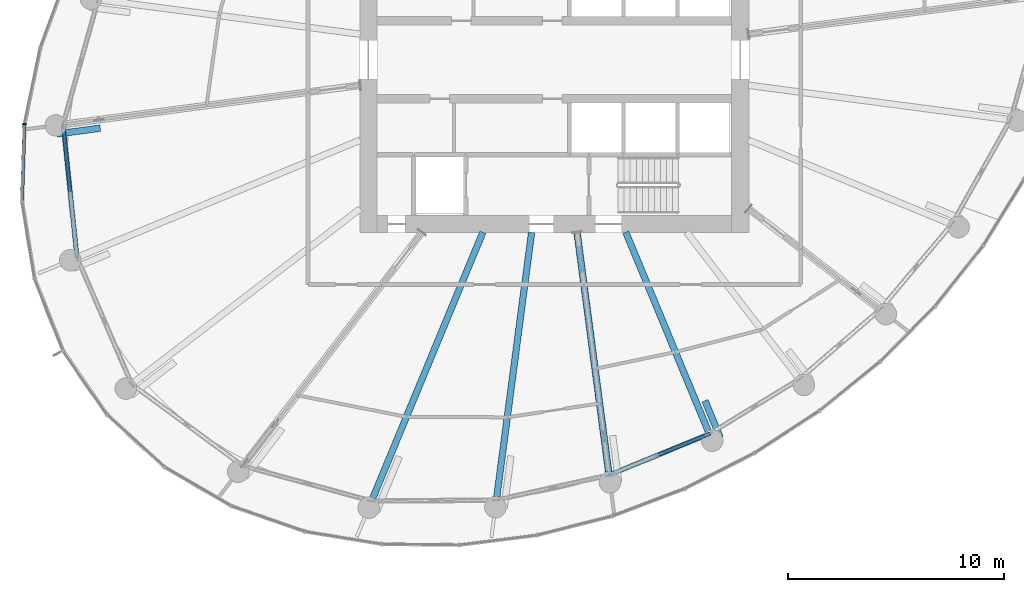
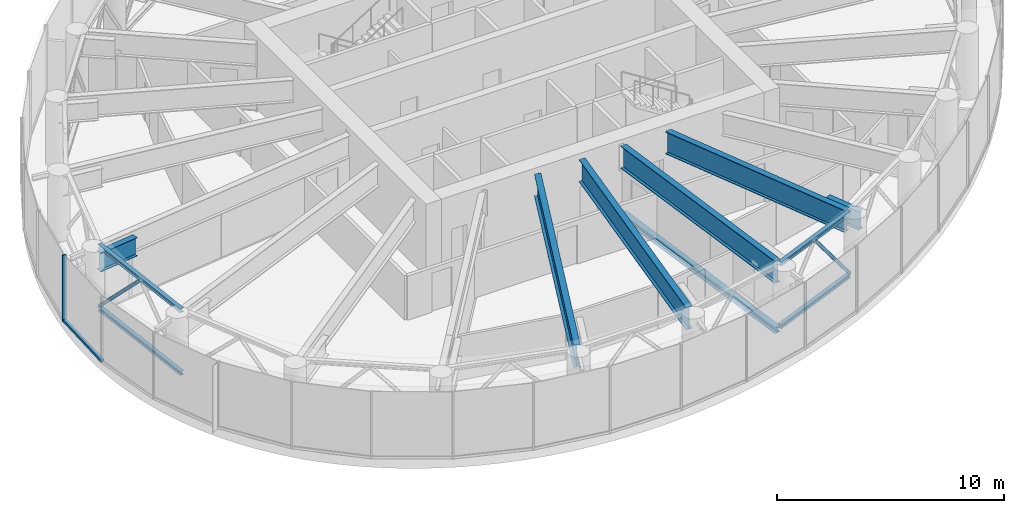
# One storey, part 4 of 25: 9 members, 6 beams, 1 element without a shape of its own.
"""IFC4 building model written with IfcOpenShell, lengths in metres."""

from ifc_helpers import new_model, si_unit, direction, frame, origin, origin_2d, place, context, subcontext, project, spatial, rectangle, hollow_circle, i_section, extrude, source, transform, mapped, material, layer, layer_set, material_profile, profile_set, type_object, element, aggregate, save


model = new_model("IFC4")

# Units and contexts
model_context = context("Model", 3, precision=1e-05, world=origin(), true_north=direction((0.0, 1.0)))
body_context = subcontext(model_context, "Body", "Model", "MODEL_VIEW")
ifc_project = project(units=[si_unit("LENGTHUNIT", "METRE"), si_unit("AREAUNIT", "SQUARE_METRE"), si_unit("VOLUMEUNIT", "CUBIC_METRE"), si_unit("PLANEANGLEUNIT", "RADIAN"), si_unit("MASSUNIT", "GRAM", prefix="KILO")], contexts=[model_context])

# Site, building, storey
site_placement = place(None, origin())
site = spatial("IfcSite", under=ifc_project, at=site_placement, CompositionType="ELEMENT")
building_placement = place(site_placement, origin())
building = spatial("IfcBuilding", under=site, at=building_placement, Name="Spindrift Exchange Tower", CompositionType="ELEMENT")
storey_placement = place(building_placement, frame((0.0, 0.0, 179.89990234375)))
storey = spatial("IfcBuildingStorey", under=building, at=storey_placement, Name="L43", CompositionType="ELEMENT", Elevation=179.89990234375)

# Beams
ifc_material_1 = material(Name="Steel Grade 300", Category="steel")
ifc_material_profile_1 = material_profile(ifc_material_1, i_section(OverallWidth=0.300048828125, OverallDepth=1.199951171875, WebThickness=0.011962890625, FlangeThickness=0.028076171875, at=origin_2d()), Name="1200WB249")
ifc_profile_set_1 = profile_set([ifc_material_profile_1], Name="Steel Grade 300")
beam_type_1 = type_object("IfcBeamType", Name="Transfer Girder 1200WB249 Steel Grade 300", PredefinedType="BEAM", material=ifc_profile_set_1)
shared_shape_1 = source(origin(), body_context, "Body", "SweptSolid", [
    extrude(i_section(OverallWidth=0.300048828125, OverallDepth=1.199951171875, WebThickness=0.011962890625, FlangeThickness=0.028076171875, at=origin_2d()), origin(), (0.0, 0.0, 1.0), 13.31982421875),
])
beam_1_placement = place(storey_placement, frame((48.69384765625, 40.0185546875, 2.97998046875), z_axis=(-0.382676632888, -0.923882348918, 0.0), x_axis=(0.923882348918, -0.382676632888, 0.0)))
element("IfcBeam", 1, at=beam_1_placement, inside=storey, type_object=beam_type_1, Name="L43 radial beam R17A", PredefinedType="BEAM", context=body_context, shape_type="MappedRepresentation", body=[
    mapped(shared_shape_1, transform((0.0, 0.0, 0.0), scale=1.0)),
])
shared_shape_2 = source(origin(), body_context, "Body", "SweptSolid", [
    extrude(i_section(OverallWidth=0.300048828125, OverallDepth=1.199951171875, WebThickness=0.011962890625, FlangeThickness=0.028076171875, at=origin_2d()), origin(), (0.0, 0.0, 1.0), 12.35498046875),
])
beam_2_placement = place(storey_placement, frame((50.949462890625, 40.019775390625, 2.97998046875), z_axis=(-0.130537831721, -0.991443328935, 0.0), x_axis=(0.991443328935, -0.130537831721, 0.0)))
element("IfcBeam", 2, at=beam_2_placement, inside=storey, type_object=beam_type_1, Name="L43 radial beam R18A", PredefinedType="BEAM", context=body_context, shape_type="MappedRepresentation", body=[
    mapped(shared_shape_2, transform((0.0, 0.0, 0.0), scale=1.0)),
])
shared_shape_3 = source(origin(), body_context, "Body", "SweptSolid", [
    extrude(i_section(OverallWidth=0.300048828125, OverallDepth=1.199951171875, WebThickness=0.011962890625, FlangeThickness=0.028076171875, at=origin_2d()), origin(), (0.0, 0.0, 1.0), 9.958984375),
])
beam_3_placement = place(storey_placement, frame((55.30615234375, 40.0185546875, 2.97998046875), z_axis=(0.382673670509, -0.923883575944, 0.0), x_axis=(0.923883575944, 0.382673670509, 0.0)))
element("IfcBeam", 3, at=beam_3_placement, inside=storey, type_object=beam_type_1, Name="L43 radial beam R20A", PredefinedType="BEAM", context=body_context, shape_type="MappedRepresentation", body=[
    mapped(shared_shape_3, transform((0.0, 0.0, 0.0), scale=1.0)),
])
ifc_material_profile_2 = material_profile(ifc_material_1, i_section(OverallWidth=0.300048828125, OverallDepth=1.199951171875, WebThickness=0.011962890625, FlangeThickness=0.028076171875, at=origin_2d()), Name="1200WB249")
ifc_profile_set_2 = profile_set([ifc_material_profile_2], Name="Steel Grade 300")
beam_type_2 = type_object("IfcBeamType", Name="Outrigger Truss Transfer Girder 1200WB249 Steel Grade 300", PredefinedType="BEAM", material=ifc_profile_set_2)
shared_shape_4 = source(origin(), body_context, "Body", "SweptSolid", [
    extrude(i_section(OverallWidth=0.300048828125, OverallDepth=1.199951171875, WebThickness=0.011962890625, FlangeThickness=0.028076171875, at=origin_2d()), origin(), (0.0, 0.0, 1.0), 11.19091796875),
])
beam_4_placement = place(storey_placement, frame((53.050537109375, 40.019775390625, 2.97998046875), z_axis=(0.130524489434, -0.991445085548, 0.0), x_axis=(0.991445085548, 0.130524489434, 0.0)))
element("IfcBeam", 4, at=beam_4_placement, inside=storey, type_object=beam_type_2, Name="L43 outrigger truss 19 top chord 1", PredefinedType="BEAM", context=body_context, shape_type="MappedRepresentation", body=[
    mapped(shared_shape_4, transform((0.0, 0.0, 0.0), scale=1.0)),
])

# Members
ifc_material_profile_3 = material_profile(ifc_material_1, i_section(OverallWidth=0.306884765625, OverallDepth=0.31396484375, WebThickness=0.011962890625, FlangeThickness=0.018798828125, FilletRadius=0.0166015625, at=origin_2d()), Name="310UC118")
ifc_profile_set_3 = profile_set([ifc_material_profile_3], Name="Steel Grade 300")
member_type_1 = type_object("IfcMemberType", Name="Outrigger Truss Chord 310UC118 Steel Grade 300", PredefinedType="CHORD", material=ifc_profile_set_3)
shared_shape_5 = source(origin(), body_context, "Body", "SweptSolid", [
    extrude(i_section(OverallWidth=0.306884765625, OverallDepth=0.31396484375, WebThickness=0.011962890625, FlangeThickness=0.018798828125, FilletRadius=0.0166015625, at=origin_2d()), origin(), (0.0, 0.0, 1.0), 11.19091796875),
])
member_1_placement = place(storey_placement, frame((53.050537109375, 40.019775390625, -0.156982421875), z_axis=(0.130524489434, -0.991445085548, 0.0), x_axis=(0.991445085548, 0.130524489434, 0.0)))
element("IfcMember", 5, at=member_1_placement, inside=storey, type_object=member_type_1, Name="L43 outrigger truss 19 bottom chord 1", PredefinedType="CHORD", context=body_context, shape_type="MappedRepresentation", body=[
    mapped(shared_shape_5, transform((0.0, 0.0, 0.0), scale=1.0)),
])
ifc_material_profile_4 = material_profile(ifc_material_1, i_section(OverallWidth=0.205078125, OverallDepth=0.2099609375, WebThickness=0.00927734375, FlangeThickness=0.01416015625, FilletRadius=0.012939453125, at=origin_2d()), Name="200UC59.5")
ifc_profile_set_4 = profile_set([ifc_material_profile_4], Name="Steel Grade 300")
member_type_2 = type_object("IfcMemberType", Name="Belt Truss Chord 200UC59.5 Steel Grade 300", PredefinedType="CHORD", material=ifc_profile_set_4)
shared_shape_6 = source(origin(), body_context, "Body", "SweptSolid", [
    extrude(i_section(OverallWidth=0.205078125, OverallDepth=0.2099609375, WebThickness=0.00927734375, FlangeThickness=0.01416015625, FilletRadius=0.012939453125, at=origin_2d()), origin(), (0.0, 0.0, 1.0), 6.188720703125),
])
for number, where, z_axis, x_axis, name in (
    (6, (29.275146484375, 45.00830078125, 3.47509765625), (0.103791455833, -0.99459908189, 0.0), (0.99459908189, 0.103791455833, 0.0), "L43 belt truss 13 top chord"),
    (7, (29.275146484375, 45.00830078125, 0.10498046875), (0.103791455833, -0.99459908189, 0.0), (0.99459908189, 0.103791455833, 0.0), "L43 belt truss 13 bottom chord"),
):
    element("IfcMember", number, at=place(storey_placement, frame(where, z_axis=z_axis, x_axis=x_axis)), inside=storey, type_object=member_type_2, Name=name, PredefinedType="CHORD", context=body_context, shape_type="MappedRepresentation", body=[
        mapped(shared_shape_6, transform((0.0, 0.0, 0.0), scale=1.0)),
    ])
ifc_material_2 = material(Name="Steel Grade 350", Category="steel")
ifc_material_profile_5 = material_profile(ifc_material_2, hollow_circle(Radius=0.084228515625, WallThickness=0.007080078125, at=origin_2d()), Name="168.3x7.1CHS")
ifc_profile_set_5 = profile_set([ifc_material_profile_5], Name="Steel Grade 350")
member_type_3 = type_object("IfcMemberType", Name="Belt Truss Diagonal 168.3x7.1CHS Steel Grade 350", PredefinedType="BRACE", material=ifc_profile_set_5)
shared_shape_7 = source(origin(), body_context, "Body", "SweptSolid", [
    extrude(hollow_circle(Radius=0.084228515625, WallThickness=0.007080078125, at=origin_2d()), origin(), (0.0, 0.0, 1.0), 4.422607421875),
])
member_2_placement = place(storey_placement, frame((29.275146484375, 45.00830078125, 0.210205078125), z_axis=(0.072590836294, -0.6958783896, 0.714481516468), x_axis=(0.994603153541, 0.103752431136, 0.0)))
element("IfcMember", 8, at=member_2_placement, inside=storey, type_object=member_type_3, Name="L43 belt truss 13 diagonal 1", PredefinedType="BRACE", context=body_context, shape_type="MappedRepresentation", body=[
    mapped(shared_shape_7, transform((0.0, 0.0, 0.0), scale=1.0)),
])
shared_shape_8 = source(origin(), body_context, "Body", "SweptSolid", [
    extrude(i_section(OverallWidth=0.205078125, OverallDepth=0.2099609375, WebThickness=0.00927734375, FlangeThickness=0.01416015625, FilletRadius=0.012939453125, at=origin_2d()), origin(), (0.0, 0.0, 1.0), 5.015869140625),
])
for number, where, z_axis, x_axis, name in (
    (9, (54.529541015625, 28.785888671875, 3.47509765625), (0.925287778212, 0.379265774215, 0.0), (-0.379265774215, 0.925287778212, 0.0), "L43 belt truss 19 top chord"),
    (10, (54.529541015625, 28.785888671875, 0.10498046875), (0.925287778212, 0.379265774215, 0.0), (-0.379265774215, 0.925287778212, 0.0), "L43 belt truss 19 bottom chord"),
):
    element("IfcMember", number, at=place(storey_placement, frame(where, z_axis=z_axis, x_axis=x_axis)), inside=storey, type_object=member_type_2, Name=name, PredefinedType="CHORD", context=body_context, shape_type="MappedRepresentation", body=[
        mapped(shared_shape_8, transform((0.0, 0.0, 0.0), scale=1.0)),
    ])
shared_shape_9 = source(origin(), body_context, "Body", "SweptSolid", [
    extrude(hollow_circle(Radius=0.084228515625, WallThickness=0.007080078125, at=origin_2d()), origin(), (0.0, 0.0, 1.0), 4.0341796875),
])
member_3_placement = place(storey_placement, frame((56.85009765625, 29.737060546875, 3.3701171875), z_axis=(0.5752212686, 0.235777176482, -0.783281312939), x_axis=(-0.379265774215, 0.925287778212, 0.0)))
element("IfcMember", 11, at=member_3_placement, inside=storey, type_object=member_type_3, Name="L43 belt truss 19 diagonal 2", PredefinedType="BRACE", context=body_context, shape_type="MappedRepresentation", body=[
    mapped(shared_shape_9, transform((0.0, 0.0, 0.0), scale=1.0)),
])

# Beams
ifc_material_profile_6 = material_profile(ifc_material_1, i_section(OverallWidth=0.300048828125, OverallDepth=1.0, WebThickness=0.010009765625, FlangeThickness=0.02001953125, at=origin_2d()), Name="1000WB215")
ifc_profile_set_6 = profile_set([ifc_material_profile_6], Name="Steel Grade 300")
beam_type_3 = type_object("IfcBeamType", Name="Transfer Tie Beam 1000WB215 Steel Grade 300", PredefinedType="BEAM", material=ifc_profile_set_6)
shared_shape_10 = source(origin(), body_context, "Body", "SweptSolid", [
    extrude(i_section(OverallWidth=0.300048828125, OverallDepth=1.0, WebThickness=0.010009765625, FlangeThickness=0.02001953125, at=origin_2d()), origin(), (0.0, 0.0, 1.0), 2.01708984375),
])
beam_5_placement = place(storey_placement, frame((28.990234375, 44.567138671875, 2.97998046875), z_axis=(0.99143492159, 0.130601670174, 0.0), x_axis=(-0.130601670174, 0.99143492159, 0.0)))
element("IfcBeam", 12, at=beam_5_placement, inside=storey, type_object=beam_type_3, Name="L43 transfer tie beam K13", PredefinedType="BEAM", context=body_context, shape_type="MappedRepresentation", body=[
    mapped(shared_shape_10, transform((0.0, 0.0, 0.0), scale=1.0)),
])
shared_shape_11 = source(origin(), body_context, "Body", "SweptSolid", [
    extrude(i_section(OverallWidth=0.300048828125, OverallDepth=1.0, WebThickness=0.010009765625, FlangeThickness=0.02001953125, at=origin_2d()), origin(), (0.0, 0.0, 1.0), 1.833984375),
])
beam_6_placement = place(storey_placement, frame((59.67041015625, 30.52734375, 2.97998046875), z_axis=(-0.382724096228, 0.923862687939, 0.0), x_axis=(-0.923862687939, -0.382724096228, 0.0)))
element("IfcBeam", 13, at=beam_6_placement, inside=storey, type_object=beam_type_3, Name="L43 transfer tie beam K20", PredefinedType="BEAM", context=body_context, shape_type="MappedRepresentation", body=[
    mapped(shared_shape_11, transform((0.0, 0.0, 0.0), scale=1.0)),
])

# Curtain wall, members
ifc_material_3 = material(Name="Fritted laminated glass with bronze frame", Category="glass")
ifc_layer = layer(ifc_material_3, 0.179931640625)
ifc_layer_set = layer_set([ifc_layer], Name="ZONE 3 BRONZE FRITTED WALL")
curtain_wall_type = type_object("IfcCurtainWallType", Name="ZONE 3 BRONZE FRITTED WALL", PredefinedType="NOTDEFINED", material=ifc_layer_set)
curtain_wall_placement = place(storey_placement, origin())
curtain_wall = element("IfcCurtainWall", 14, at=curtain_wall_placement, inside=storey, type_object=curtain_wall_type, Name="L43 Zone 3 Bronze Fritted Wall run 3", PredefinedType="NOTDEFINED")
ifc_material_4 = material(Name="Bronze anodised aluminium", Category="aluminium")
ifc_material_profile_7 = material_profile(ifc_material_4, rectangle(XDim=0.070068359375, YDim=0.179931640625, at=origin_2d()), Name="ZONE 3 BRONZE FRITTED WALL MULLION 70X180")
ifc_profile_set_7 = profile_set([ifc_material_profile_7], Name="Bronze anodised aluminium")
member_type_4 = type_object("IfcMemberType", Name="ZONE 3 BRONZE FRITTED WALL MULLION 70X180", PredefinedType="MULLION", material=ifc_profile_set_7)
shared_shape_12 = source(origin(), body_context, "Body", "SweptSolid", [
    extrude(rectangle(XDim=0.070068359375, YDim=0.179931640625, at=origin_2d()), origin(), (0.0, 0.0, 1.0), 3.580078125),
])
member_4_placement = place(storey_placement, frame((27.486083984375, 45.02587890625, 0.0), z_axis=(0.0, 0.0, 1.0), x_axis=(-0.117395881732, -0.993085196221, 0.0)))
member_4 = element("IfcMember", 15, at=member_4_placement, type_object=member_type_4, Name="L43 mullion CW-3.18", PredefinedType="MULLION", context=body_context, shape_type="MappedRepresentation", body=[
    mapped(shared_shape_12, transform((0.0, 0.0, 0.0), scale=1.0)),
])
ifc_material_profile_8 = material_profile(ifc_material_4, rectangle(XDim=0.159912109375, YDim=0.1298828125, at=origin_2d()), Name="ZONE 3 BRONZE FRITTED WALL TRANSOM 160X130")
ifc_profile_set_8 = profile_set([ifc_material_profile_8], Name="Bronze anodised aluminium")
member_type_5 = type_object("IfcMemberType", Name="ZONE 3 BRONZE FRITTED WALL TRANSOM 160X130", PredefinedType="USERDEFINED", material=ifc_profile_set_8)
shared_shape_13 = source(origin(), body_context, "Body", "SweptSolid", [
    extrude(rectangle(XDim=0.159912109375, YDim=0.1298828125, at=origin_2d()), origin(), (0.0, 0.0, 1.0), 3.527587890625),
])
member_5_placement = place(storey_placement, frame((27.485107421875, 44.990966796875, 0.065185546875), z_axis=(-0.031973672945, -0.999488711411, 0.0), x_axis=(0.999488711411, -0.031973672945, 0.0)))
member_5 = element("IfcMember", 16, at=member_5_placement, type_object=member_type_5, Name="L43 transom CW-3.18", ObjectType="TRANSOM", PredefinedType="USERDEFINED", context=body_context, shape_type="MappedRepresentation", body=[
    mapped(shared_shape_13, transform((0.0, 0.0, 0.0), scale=1.0)),
])
aggregate(curtain_wall, [member_4, member_5])

save(model, "model.ifc")
